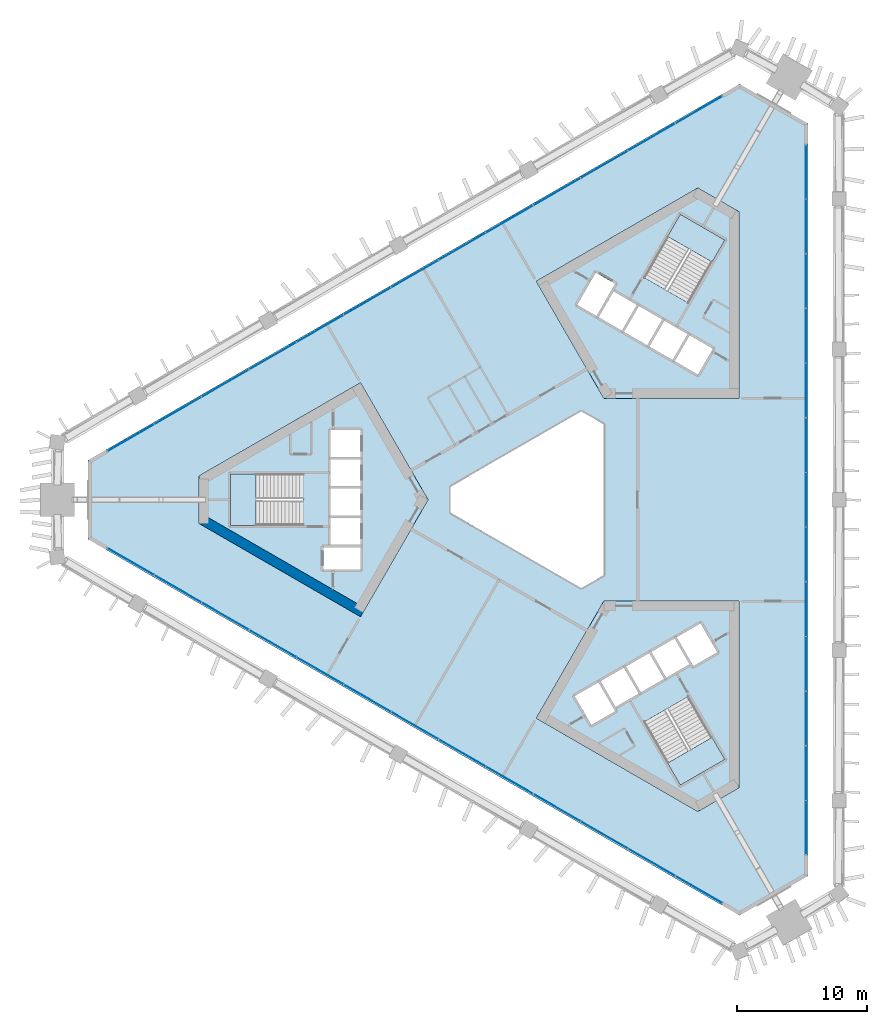
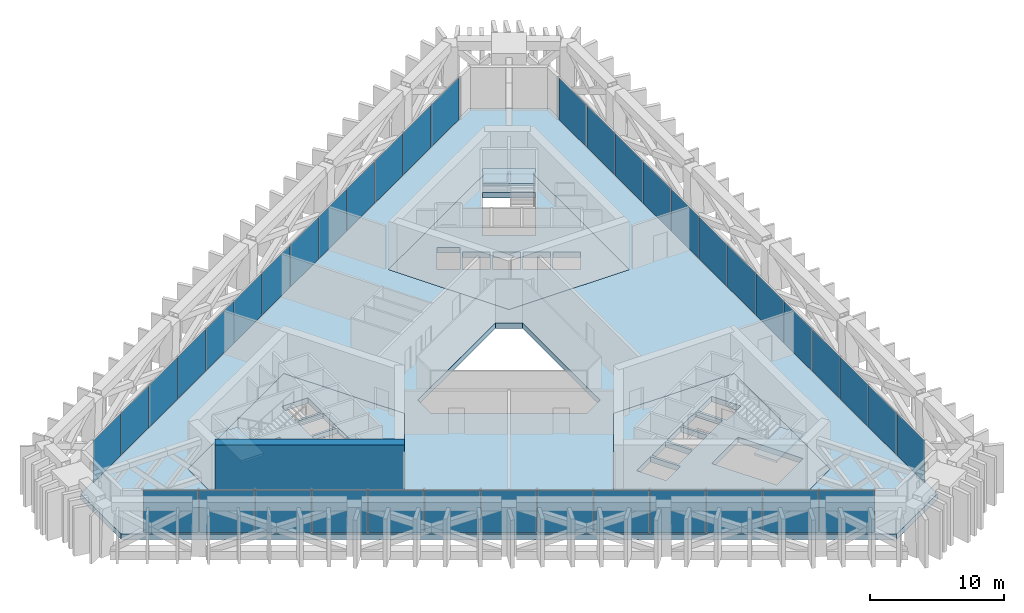
# One storey, part 11 of 17: 39 plates, 7 slabs, 1 wall, 6 elements without a shape of their own.
"""IFC4 building model written with IfcOpenShell, lengths in metres."""

from ifc_helpers import new_model, si_unit, direction, frame, frame_2d, origin, origin_2d, place, context, subcontext, project, spatial, polyline, rectangle, outline, extrude, material, layer, layer_set, type_object, element, aggregate, save


model = new_model("IFC4")

# Units and contexts
model_context = context("Model", 3, precision=1e-05, world=origin(), true_north=direction((0.0, 1.0)))
body_context = subcontext(model_context, "Body", "Model", "MODEL_VIEW")
ifc_project = project(units=[si_unit("LENGTHUNIT", "METRE"), si_unit("AREAUNIT", "SQUARE_METRE"), si_unit("VOLUMEUNIT", "CUBIC_METRE"), si_unit("PLANEANGLEUNIT", "RADIAN"), si_unit("MASSUNIT", "GRAM", prefix="KILO")], contexts=[model_context])

# Site, building, storey
site_placement = place(None, origin())
site = spatial("IfcSite", under=ifc_project, at=site_placement, CompositionType="ELEMENT")
building_placement = place(site_placement, origin())
building = spatial("IfcBuilding", under=site, at=building_placement, Name="Jabali Bay Hotel Tower and Convention Centre", CompositionType="ELEMENT")
storey_placement = place(building_placement, frame((0.0, 0.0, 102.39990234375)))
storey = spatial("IfcBuildingStorey", under=building, at=storey_placement, Name="L24", CompositionType="ELEMENT", Elevation=102.39990234375)

# Curtain wall, plates
ifc_material_1 = material(Name="Aluminium and glass", Category="aluminium")
ifc_layer_1 = layer(ifc_material_1, 0.159912109375)
ifc_layer_set_1 = layer_set([ifc_layer_1], Name="Aluminium and glass")
curtain_wall_type = type_object("IfcCurtainWallType", Name="CW3 curtain wall", PredefinedType="NOTDEFINED", material=ifc_layer_set_1)
curtain_wall_1_placement = place(storey_placement, origin())
curtain_wall_1 = element("IfcCurtainWall", 1, at=curtain_wall_1_placement, inside=storey, type_object=curtain_wall_type, Name="CW3 curtain wall east face L24", PredefinedType="NOTDEFINED")
ifc_material_2 = material(Name="Glass", Category="glass")
ifc_layer_2 = layer(ifc_material_2, 0.028076171875)
ifc_layer_set_2 = layer_set([ifc_layer_2], Name="Glass")
plate_type = type_object("IfcPlateType", Name="CW3 glass panel 28", PredefinedType="CURTAIN_PANEL", material=ifc_layer_set_2)
plate_1_placement = place(storey_placement, frame((95.038330078125, 105.1953125, 0.06005859375), z_axis=(0.0, 0.0, 1.0), x_axis=(0.0, -1.0, 0.0)))
plate_1 = element("IfcPlate", 2, at=plate_1_placement, type_object=plate_type, Name="CW3 panel 1.1", PredefinedType="CURTAIN_PANEL", context=body_context, shape_type="SweptSolid", body=[
    extrude(rectangle(XDim=4.11181640625, YDim=0.028076171875, at=origin_2d()), origin(), (0.0, 0.0, 1.0), 3.830078125),
])
plate_2_placement = place(storey_placement, frame((95.038330078125, 101.008544921875, 0.06005859375), z_axis=(0.0, 0.0, 1.0), x_axis=(0.0, -1.0, 0.0)))
plate_2 = element("IfcPlate", 3, at=plate_2_placement, type_object=plate_type, Name="CW3 panel 2.1", PredefinedType="CURTAIN_PANEL", context=body_context, shape_type="SweptSolid", body=[
    extrude(rectangle(XDim=4.141845703125, YDim=0.028076171875, at=origin_2d()), origin(), (0.0, 0.0, 1.0), 3.830078125),
])
plate_3_placement = place(storey_placement, frame((95.038330078125, 96.806884765625, 0.06005859375), z_axis=(0.0, 0.0, 1.0), x_axis=(0.0, -1.0, 0.0)))
plate_3 = element("IfcPlate", 4, at=plate_3_placement, type_object=plate_type, Name="CW3 panel 3.1", PredefinedType="CURTAIN_PANEL", context=body_context, shape_type="SweptSolid", body=[
    extrude(rectangle(XDim=4.141845703125, YDim=0.028076171875, at=origin_2d()), origin(), (0.0, 0.0, 1.0), 3.830078125),
])
plate_4_placement = place(storey_placement, frame((95.038330078125, 92.605224609375, 0.06005859375), z_axis=(0.0, 0.0, 1.0), x_axis=(0.0, -1.0, 0.0)))
plate_4 = element("IfcPlate", 5, at=plate_4_placement, type_object=plate_type, Name="CW3 panel 4.1", PredefinedType="CURTAIN_PANEL", context=body_context, shape_type="SweptSolid", body=[
    extrude(rectangle(XDim=4.141845703125, YDim=0.028076171875, at=origin_2d()), origin(), (0.0, 0.0, 1.0), 3.830078125),
])
plate_5_placement = place(storey_placement, frame((95.038330078125, 88.403564453125, 0.06005859375), z_axis=(0.0, 0.0, 1.0), x_axis=(0.0, -1.0, 0.0)))
plate_5 = element("IfcPlate", 6, at=plate_5_placement, type_object=plate_type, Name="CW3 panel 5.1", PredefinedType="CURTAIN_PANEL", context=body_context, shape_type="SweptSolid", body=[
    extrude(rectangle(XDim=4.141845703125, YDim=0.028076171875, at=origin_2d()), origin(), (0.0, 0.0, 1.0), 3.830078125),
])
plate_6_placement = place(storey_placement, frame((95.038330078125, 84.20166015625, 0.06005859375), z_axis=(0.0, 0.0, 1.0), x_axis=(0.0, -1.0, 0.0)))
plate_6 = element("IfcPlate", 7, at=plate_6_placement, type_object=plate_type, Name="CW3 panel 6.1", PredefinedType="CURTAIN_PANEL", context=body_context, shape_type="SweptSolid", body=[
    extrude(rectangle(XDim=4.141845703125, YDim=0.028076171875, at=origin_2d()), origin(), (0.0, 0.0, 1.0), 3.830078125),
])
plate_7_placement = place(storey_placement, frame((95.038330078125, 80.0, 0.06005859375), z_axis=(0.0, 0.0, 1.0), x_axis=(0.0, -1.0, 0.0)))
plate_7 = element("IfcPlate", 8, at=plate_7_placement, type_object=plate_type, Name="CW3 panel 7.1", PredefinedType="CURTAIN_PANEL", context=body_context, shape_type="SweptSolid", body=[
    extrude(rectangle(XDim=4.141845703125, YDim=0.028076171875, at=origin_2d()), origin(), (0.0, 0.0, 1.0), 3.830078125),
])
plate_8_placement = place(storey_placement, frame((95.038330078125, 75.79833984375, 0.06005859375), z_axis=(0.0, 0.0, 1.0), x_axis=(0.0, -1.0, 0.0)))
plate_8 = element("IfcPlate", 9, at=plate_8_placement, type_object=plate_type, Name="CW3 panel 8.1", PredefinedType="CURTAIN_PANEL", context=body_context, shape_type="SweptSolid", body=[
    extrude(rectangle(XDim=4.141845703125, YDim=0.028076171875, at=origin_2d()), origin(), (0.0, 0.0, 1.0), 3.830078125),
])
plate_9_placement = place(storey_placement, frame((95.038330078125, 71.596435546875, 0.06005859375), z_axis=(0.0, 0.0, 1.0), x_axis=(0.0, -1.0, 0.0)))
plate_9 = element("IfcPlate", 10, at=plate_9_placement, type_object=plate_type, Name="CW3 panel 9.1", PredefinedType="CURTAIN_PANEL", context=body_context, shape_type="SweptSolid", body=[
    extrude(rectangle(XDim=4.141845703125, YDim=0.028076171875, at=origin_2d()), origin(), (0.0, 0.0, 1.0), 3.830078125),
])
plate_10_placement = place(storey_placement, frame((95.038330078125, 67.394775390625, 0.06005859375), z_axis=(0.0, 0.0, 1.0), x_axis=(0.0, -1.0, 0.0)))
plate_10 = element("IfcPlate", 11, at=plate_10_placement, type_object=plate_type, Name="CW3 panel 10.1", PredefinedType="CURTAIN_PANEL", context=body_context, shape_type="SweptSolid", body=[
    extrude(rectangle(XDim=4.141845703125, YDim=0.028076171875, at=origin_2d()), origin(), (0.0, 0.0, 1.0), 3.830078125),
])
plate_11_placement = place(storey_placement, frame((95.038330078125, 63.193115234375, 0.06005859375), z_axis=(0.0, 0.0, 1.0), x_axis=(0.0, -1.0, 0.0)))
plate_11 = element("IfcPlate", 12, at=plate_11_placement, type_object=plate_type, Name="CW3 panel 11.1", PredefinedType="CURTAIN_PANEL", context=body_context, shape_type="SweptSolid", body=[
    extrude(rectangle(XDim=4.141845703125, YDim=0.028076171875, at=origin_2d()), origin(), (0.0, 0.0, 1.0), 3.830078125),
])
plate_12_placement = place(storey_placement, frame((95.038330078125, 58.991455078125, 0.06005859375), z_axis=(0.0, 0.0, 1.0), x_axis=(0.0, -1.0, 0.0)))
plate_12 = element("IfcPlate", 13, at=plate_12_placement, type_object=plate_type, Name="CW3 panel 12.1", PredefinedType="CURTAIN_PANEL", context=body_context, shape_type="SweptSolid", body=[
    extrude(rectangle(XDim=4.141845703125, YDim=0.028076171875, at=origin_2d()), origin(), (0.0, 0.0, 1.0), 3.830078125),
])
plate_13_placement = place(storey_placement, frame((95.038330078125, 54.8046875, 0.06005859375), z_axis=(0.0, 0.0, 1.0), x_axis=(0.0, -1.0, 0.0)))
plate_13 = element("IfcPlate", 14, at=plate_13_placement, type_object=plate_type, Name="CW3 panel 13.1", PredefinedType="CURTAIN_PANEL", context=body_context, shape_type="SweptSolid", body=[
    extrude(rectangle(XDim=4.11181640625, YDim=0.028076171875, at=origin_2d()), origin(), (0.0, 0.0, 1.0), 3.830078125),
])
aggregate(curtain_wall_1, [plate_1, plate_2, plate_3, plate_4, plate_5, plate_6, plate_7, plate_8, plate_9, plate_10, plate_11, plate_12, plate_13])

curtain_wall_2_placement = place(storey_placement, origin())
curtain_wall_2 = element("IfcCurtainWall", 15, at=curtain_wall_2_placement, inside=storey, type_object=curtain_wall_type, Name="CW3 curtain wall north-west face L24", PredefinedType="NOTDEFINED")
plate_14_placement = place(storey_placement, frame((43.160888671875, 84.756103515625, 0.06005859375), z_axis=(0.0, 0.0, 1.0), x_axis=(0.866025407101, 0.499999994256, 0.0)))
plate_14 = element("IfcPlate", 16, at=plate_14_placement, type_object=plate_type, Name="CW3 panel 1.1", PredefinedType="CURTAIN_PANEL", context=body_context, shape_type="SweptSolid", body=[
    extrude(rectangle(XDim=4.11181640625, YDim=0.028076171875, at=origin_2d()), origin(), (0.0, 0.0, 1.0), 3.830078125),
])
plate_15_placement = place(storey_placement, frame((46.786865234375, 86.849365234375, 0.06005859375), z_axis=(0.0, 0.0, 1.0), x_axis=(0.866025407101, 0.499999994256, 0.0)))
plate_15 = element("IfcPlate", 17, at=plate_15_placement, type_object=plate_type, Name="CW3 panel 2.1", PredefinedType="CURTAIN_PANEL", context=body_context, shape_type="SweptSolid", body=[
    extrude(rectangle(XDim=4.141845703125, YDim=0.028076171875, at=origin_2d()), origin(), (0.0, 0.0, 1.0), 3.830078125),
])
plate_16_placement = place(storey_placement, frame((50.425537109375, 88.9501953125, 0.06005859375), z_axis=(0.0, 0.0, 1.0), x_axis=(0.866025407101, 0.499999994256, 0.0)))
plate_16 = element("IfcPlate", 18, at=plate_16_placement, type_object=plate_type, Name="CW3 panel 3.1", PredefinedType="CURTAIN_PANEL", context=body_context, shape_type="SweptSolid", body=[
    extrude(rectangle(XDim=4.141845703125, YDim=0.028076171875, at=origin_2d()), origin(), (0.0, 0.0, 1.0), 3.830078125),
])
plate_17_placement = place(storey_placement, frame((54.064453125, 91.051025390625, 0.06005859375), z_axis=(0.0, 0.0, 1.0), x_axis=(0.866025407101, 0.499999994256, 0.0)))
plate_17 = element("IfcPlate", 19, at=plate_17_placement, type_object=plate_type, Name="CW3 panel 4.1", PredefinedType="CURTAIN_PANEL", context=body_context, shape_type="SweptSolid", body=[
    extrude(rectangle(XDim=4.141845703125, YDim=0.028076171875, at=origin_2d()), origin(), (0.0, 0.0, 1.0), 3.830078125),
])
plate_18_placement = place(storey_placement, frame((57.703125, 93.15185546875, 0.06005859375), z_axis=(0.0, 0.0, 1.0), x_axis=(0.866025407101, 0.499999994256, 0.0)))
plate_18 = element("IfcPlate", 20, at=plate_18_placement, type_object=plate_type, Name="CW3 panel 5.1", PredefinedType="CURTAIN_PANEL", context=body_context, shape_type="SweptSolid", body=[
    extrude(rectangle(XDim=4.141845703125, YDim=0.028076171875, at=origin_2d()), origin(), (0.0, 0.0, 1.0), 3.830078125),
])
plate_19_placement = place(storey_placement, frame((61.342041015625, 95.2529296875, 0.06005859375), z_axis=(0.0, 0.0, 1.0), x_axis=(0.866025407101, 0.499999994256, 0.0)))
plate_19 = element("IfcPlate", 21, at=plate_19_placement, type_object=plate_type, Name="CW3 panel 6.1", PredefinedType="CURTAIN_PANEL", context=body_context, shape_type="SweptSolid", body=[
    extrude(rectangle(XDim=4.141845703125, YDim=0.028076171875, at=origin_2d()), origin(), (0.0, 0.0, 1.0), 3.830078125),
])
plate_20_placement = place(storey_placement, frame((64.98095703125, 97.353759765625, 0.06005859375), z_axis=(0.0, 0.0, 1.0), x_axis=(0.866025407101, 0.499999994256, 0.0)))
plate_20 = element("IfcPlate", 22, at=plate_20_placement, type_object=plate_type, Name="CW3 panel 7.1", PredefinedType="CURTAIN_PANEL", context=body_context, shape_type="SweptSolid", body=[
    extrude(rectangle(XDim=4.141845703125, YDim=0.028076171875, at=origin_2d()), origin(), (0.0, 0.0, 1.0), 3.830078125),
])
plate_21_placement = place(storey_placement, frame((68.61962890625, 99.45458984375, 0.06005859375), z_axis=(0.0, 0.0, 1.0), x_axis=(0.866025407101, 0.499999994256, 0.0)))
plate_21 = element("IfcPlate", 23, at=plate_21_placement, type_object=plate_type, Name="CW3 panel 8.1", PredefinedType="CURTAIN_PANEL", context=body_context, shape_type="SweptSolid", body=[
    extrude(rectangle(XDim=4.141845703125, YDim=0.028076171875, at=origin_2d()), origin(), (0.0, 0.0, 1.0), 3.830078125),
])
plate_22_placement = place(storey_placement, frame((72.258544921875, 101.555419921875, 0.06005859375), z_axis=(0.0, 0.0, 1.0), x_axis=(0.866025407101, 0.499999994256, 0.0)))
plate_22 = element("IfcPlate", 24, at=plate_22_placement, type_object=plate_type, Name="CW3 panel 9.1", PredefinedType="CURTAIN_PANEL", context=body_context, shape_type="SweptSolid", body=[
    extrude(rectangle(XDim=4.141845703125, YDim=0.028076171875, at=origin_2d()), origin(), (0.0, 0.0, 1.0), 3.830078125),
])
plate_23_placement = place(storey_placement, frame((75.897216796875, 103.65625, 0.06005859375), z_axis=(0.0, 0.0, 1.0), x_axis=(0.866025407101, 0.499999994256, 0.0)))
plate_23 = element("IfcPlate", 25, at=plate_23_placement, type_object=plate_type, Name="CW3 panel 10.1", PredefinedType="CURTAIN_PANEL", context=body_context, shape_type="SweptSolid", body=[
    extrude(rectangle(XDim=4.141845703125, YDim=0.028076171875, at=origin_2d()), origin(), (0.0, 0.0, 1.0), 3.830078125),
])
plate_24_placement = place(storey_placement, frame((79.5361328125, 105.757080078125, 0.06005859375), z_axis=(0.0, 0.0, 1.0), x_axis=(0.866025407101, 0.499999994256, 0.0)))
plate_24 = element("IfcPlate", 26, at=plate_24_placement, type_object=plate_type, Name="CW3 panel 11.1", PredefinedType="CURTAIN_PANEL", context=body_context, shape_type="SweptSolid", body=[
    extrude(rectangle(XDim=4.141845703125, YDim=0.028076171875, at=origin_2d()), origin(), (0.0, 0.0, 1.0), 3.830078125),
])
plate_25_placement = place(storey_placement, frame((83.1748046875, 107.85791015625, 0.06005859375), z_axis=(0.0, 0.0, 1.0), x_axis=(0.866025407101, 0.499999994256, 0.0)))
plate_25 = element("IfcPlate", 27, at=plate_25_placement, type_object=plate_type, Name="CW3 panel 12.1", PredefinedType="CURTAIN_PANEL", context=body_context, shape_type="SweptSolid", body=[
    extrude(rectangle(XDim=4.141845703125, YDim=0.028076171875, at=origin_2d()), origin(), (0.0, 0.0, 1.0), 3.830078125),
])
plate_26_placement = place(storey_placement, frame((86.80078125, 109.951416015625, 0.06005859375), z_axis=(0.0, 0.0, 1.0), x_axis=(0.866025407101, 0.499999994256, 0.0)))
plate_26 = element("IfcPlate", 28, at=plate_26_placement, type_object=plate_type, Name="CW3 panel 13.1", PredefinedType="CURTAIN_PANEL", context=body_context, shape_type="SweptSolid", body=[
    extrude(rectangle(XDim=4.11181640625, YDim=0.028076171875, at=origin_2d()), origin(), (0.0, 0.0, 1.0), 3.830078125),
])
aggregate(curtain_wall_2, [plate_14, plate_15, plate_16, plate_17, plate_18, plate_19, plate_20, plate_21, plate_22, plate_23, plate_24, plate_25, plate_26])

curtain_wall_3_placement = place(storey_placement, origin())
curtain_wall_3 = element("IfcCurtainWall", 29, at=curtain_wall_3_placement, inside=storey, type_object=curtain_wall_type, Name="CW3 curtain wall south-west face L24", PredefinedType="NOTDEFINED")
plate_27_placement = place(storey_placement, frame((86.80078125, 50.048583984375, 0.06005859375), z_axis=(0.0, 0.0, 1.0), x_axis=(-0.866025407101, 0.499999994256, 0.0)))
plate_27 = element("IfcPlate", 30, at=plate_27_placement, type_object=plate_type, Name="CW3 panel 1.1", PredefinedType="CURTAIN_PANEL", context=body_context, shape_type="SweptSolid", body=[
    extrude(rectangle(XDim=4.11181640625, YDim=0.028076171875, at=origin_2d()), origin(), (0.0, 0.0, 1.0), 3.830078125),
])
plate_28_placement = place(storey_placement, frame((83.1748046875, 52.14208984375, 0.06005859375), z_axis=(0.0, 0.0, 1.0), x_axis=(-0.866025407101, 0.499999994256, 0.0)))
plate_28 = element("IfcPlate", 31, at=plate_28_placement, type_object=plate_type, Name="CW3 panel 2.1", PredefinedType="CURTAIN_PANEL", context=body_context, shape_type="SweptSolid", body=[
    extrude(rectangle(XDim=4.141845703125, YDim=0.028076171875, at=origin_2d()), origin(), (0.0, 0.0, 1.0), 3.830078125),
])
plate_29_placement = place(storey_placement, frame((79.5361328125, 54.242919921875, 0.06005859375), z_axis=(0.0, 0.0, 1.0), x_axis=(-0.866025407101, 0.499999994256, 0.0)))
plate_29 = element("IfcPlate", 32, at=plate_29_placement, type_object=plate_type, Name="CW3 panel 3.1", PredefinedType="CURTAIN_PANEL", context=body_context, shape_type="SweptSolid", body=[
    extrude(rectangle(XDim=4.141845703125, YDim=0.028076171875, at=origin_2d()), origin(), (0.0, 0.0, 1.0), 3.830078125),
])
plate_30_placement = place(storey_placement, frame((75.897216796875, 56.34375, 0.06005859375), z_axis=(0.0, 0.0, 1.0), x_axis=(-0.866025407101, 0.499999994256, 0.0)))
plate_30 = element("IfcPlate", 33, at=plate_30_placement, type_object=plate_type, Name="CW3 panel 4.1", PredefinedType="CURTAIN_PANEL", context=body_context, shape_type="SweptSolid", body=[
    extrude(rectangle(XDim=4.141845703125, YDim=0.028076171875, at=origin_2d()), origin(), (0.0, 0.0, 1.0), 3.830078125),
])
plate_31_placement = place(storey_placement, frame((72.258544921875, 58.444580078125, 0.06005859375), z_axis=(0.0, 0.0, 1.0), x_axis=(-0.866025407101, 0.499999994256, 0.0)))
plate_31 = element("IfcPlate", 34, at=plate_31_placement, type_object=plate_type, Name="CW3 panel 5.1", PredefinedType="CURTAIN_PANEL", context=body_context, shape_type="SweptSolid", body=[
    extrude(rectangle(XDim=4.141845703125, YDim=0.028076171875, at=origin_2d()), origin(), (0.0, 0.0, 1.0), 3.830078125),
])
plate_32_placement = place(storey_placement, frame((68.61962890625, 60.54541015625, 0.06005859375), z_axis=(0.0, 0.0, 1.0), x_axis=(-0.866025407101, 0.499999994256, 0.0)))
plate_32 = element("IfcPlate", 35, at=plate_32_placement, type_object=plate_type, Name="CW3 panel 6.1", PredefinedType="CURTAIN_PANEL", context=body_context, shape_type="SweptSolid", body=[
    extrude(rectangle(XDim=4.141845703125, YDim=0.028076171875, at=origin_2d()), origin(), (0.0, 0.0, 1.0), 3.830078125),
])
plate_33_placement = place(storey_placement, frame((64.98095703125, 62.646240234375, 0.06005859375), z_axis=(0.0, 0.0, 1.0), x_axis=(-0.866025407101, 0.499999994256, 0.0)))
plate_33 = element("IfcPlate", 36, at=plate_33_placement, type_object=plate_type, Name="CW3 panel 7.1", PredefinedType="CURTAIN_PANEL", context=body_context, shape_type="SweptSolid", body=[
    extrude(rectangle(XDim=4.141845703125, YDim=0.028076171875, at=origin_2d()), origin(), (0.0, 0.0, 1.0), 3.830078125),
])
plate_34_placement = place(storey_placement, frame((61.342041015625, 64.7470703125, 0.06005859375), z_axis=(0.0, 0.0, 1.0), x_axis=(-0.866025407101, 0.499999994256, 0.0)))
plate_34 = element("IfcPlate", 37, at=plate_34_placement, type_object=plate_type, Name="CW3 panel 8.1", PredefinedType="CURTAIN_PANEL", context=body_context, shape_type="SweptSolid", body=[
    extrude(rectangle(XDim=4.141845703125, YDim=0.028076171875, at=origin_2d()), origin(), (0.0, 0.0, 1.0), 3.830078125),
])
plate_35_placement = place(storey_placement, frame((57.703125, 66.84814453125, 0.06005859375), z_axis=(0.0, 0.0, 1.0), x_axis=(-0.866025407101, 0.499999994256, 0.0)))
plate_35 = element("IfcPlate", 38, at=plate_35_placement, type_object=plate_type, Name="CW3 panel 9.1", PredefinedType="CURTAIN_PANEL", context=body_context, shape_type="SweptSolid", body=[
    extrude(rectangle(XDim=4.141845703125, YDim=0.028076171875, at=origin_2d()), origin(), (0.0, 0.0, 1.0), 3.830078125),
])
plate_36_placement = place(storey_placement, frame((54.064453125, 68.948974609375, 0.06005859375), z_axis=(0.0, 0.0, 1.0), x_axis=(-0.866025407101, 0.499999994256, 0.0)))
plate_36 = element("IfcPlate", 39, at=plate_36_placement, type_object=plate_type, Name="CW3 panel 10.1", PredefinedType="CURTAIN_PANEL", context=body_context, shape_type="SweptSolid", body=[
    extrude(rectangle(XDim=4.141845703125, YDim=0.028076171875, at=origin_2d()), origin(), (0.0, 0.0, 1.0), 3.830078125),
])
plate_37_placement = place(storey_placement, frame((50.425537109375, 71.0498046875, 0.06005859375), z_axis=(0.0, 0.0, 1.0), x_axis=(-0.866025407101, 0.499999994256, 0.0)))
plate_37 = element("IfcPlate", 40, at=plate_37_placement, type_object=plate_type, Name="CW3 panel 11.1", PredefinedType="CURTAIN_PANEL", context=body_context, shape_type="SweptSolid", body=[
    extrude(rectangle(XDim=4.141845703125, YDim=0.028076171875, at=origin_2d()), origin(), (0.0, 0.0, 1.0), 3.830078125),
])
plate_38_placement = place(storey_placement, frame((46.786865234375, 73.150634765625, 0.06005859375), z_axis=(0.0, 0.0, 1.0), x_axis=(-0.866025407101, 0.499999994256, 0.0)))
plate_38 = element("IfcPlate", 41, at=plate_38_placement, type_object=plate_type, Name="CW3 panel 12.1", PredefinedType="CURTAIN_PANEL", context=body_context, shape_type="SweptSolid", body=[
    extrude(rectangle(XDim=4.141845703125, YDim=0.028076171875, at=origin_2d()), origin(), (0.0, 0.0, 1.0), 3.830078125),
])
plate_39_placement = place(storey_placement, frame((43.160888671875, 75.243896484375, 0.06005859375), z_axis=(0.0, 0.0, 1.0), x_axis=(-0.866025407101, 0.499999994256, 0.0)))
plate_39 = element("IfcPlate", 42, at=plate_39_placement, type_object=plate_type, Name="CW3 panel 13.1", PredefinedType="CURTAIN_PANEL", context=body_context, shape_type="SweptSolid", body=[
    extrude(rectangle(XDim=4.11181640625, YDim=0.028076171875, at=origin_2d()), origin(), (0.0, 0.0, 1.0), 3.830078125),
])
aggregate(curtain_wall_3, [plate_27, plate_28, plate_29, plate_30, plate_31, plate_32, plate_33, plate_34, plate_35, plate_36, plate_37, plate_38, plate_39])

# Slabs
ifc_material_3 = material(Name="Concrete C40", Category="concrete")
ifc_layer_3 = layer(ifc_material_3, 0.5)
ifc_layer_set_3 = layer_set([ifc_layer_3], Name="Concrete C40")
slab_type_1 = type_object("IfcSlabType", Name="Core floor slab 500", PredefinedType="FLOOR", material=ifc_layer_set_3)
slab_1_placement = place(storey_placement, frame((0.0, 0.0, -0.5)))
element("IfcSlab", 43, at=slab_1_placement, inside=storey, type_object=slab_type_1, Name="Core floor slab 1 L24", PredefinedType="FLOOR", context=body_context, shape_type="SweptSolid", body=[
    extrude(outline(polyline([(66.0, 80.0), (60.81005859375, 88.9892578125), (48.39697265625, 81.82275390625), (48.39697265625, 78.17724609375), (60.81005859375, 71.0107421875), (66.0, 80.0)]), holes=[polyline([(60.800048828125, 74.64990234375), (60.800048828125, 76.35009765625), (57.949951171875, 76.35009765625), (57.949951171875, 74.64990234375), (60.800048828125, 74.64990234375)]), polyline([(58.52001953125, 76.550048828125), (60.800048828125, 76.550048828125), (60.800048828125, 78.60009765625), (58.52001953125, 78.60009765625), (58.52001953125, 76.550048828125)]), polyline([(58.52001953125, 78.800048828125), (60.800048828125, 78.800048828125), (60.800048828125, 80.85009765625), (58.52001953125, 80.85009765625), (58.52001953125, 78.800048828125)]), polyline([(56.409912109375, 81.97509765625), (50.820068359375, 81.97509765625), (50.820068359375, 78.02490234375), (56.409912109375, 78.02490234375), (56.409912109375, 81.97509765625)]), polyline([(58.52001953125, 81.050048828125), (60.800048828125, 81.050048828125), (60.800048828125, 83.10009765625), (58.52001953125, 83.10009765625), (58.52001953125, 81.050048828125)]), polyline([(58.52001953125, 83.300048828125), (60.800048828125, 83.300048828125), (60.800048828125, 85.35009765625), (58.52001953125, 85.35009765625), (58.52001953125, 83.300048828125)])]), origin(), (0.0, 0.0, 1.0), 0.5),
])
slab_2_placement = place(storey_placement, frame((0.0, 0.0, -0.5)))
element("IfcSlab", 44, at=slab_2_placement, inside=storey, type_object=slab_type_1, Name="Core floor slab 2 L24", PredefinedType="FLOOR", context=body_context, shape_type="SweptSolid", body=[
    extrude(outline(polyline([(79.5, 87.794189453125), (89.8798828125, 87.794189453125), (89.8798828125, 102.127685546875), (86.72314453125, 103.9501953125), (74.31005859375, 96.78369140625), (79.5, 87.794189453125)]), holes=[polyline([(84.957763671875, 90.6474609375), (86.733154296875, 89.62255859375), (87.873291015625, 91.59716796875), (86.097900390625, 92.6220703125), (84.957763671875, 90.6474609375)]), polyline([(84.1494140625, 93.7470703125), (83.00927734375, 91.7724609375), (84.78466796875, 90.74755859375), (85.924560546875, 92.72216796875), (84.1494140625, 93.7470703125)]), polyline([(82.20068359375, 94.8720703125), (81.060791015625, 92.8974609375), (82.836181640625, 91.87255859375), (83.97607421875, 93.84716796875), (82.20068359375, 94.8720703125)]), polyline([(79.1123046875, 94.0224609375), (80.887451171875, 92.99755859375), (82.027587890625, 94.97216796875), (80.252197265625, 95.9970703125), (79.1123046875, 94.0224609375)]), polyline([(78.891845703125, 97.440673828125), (77.466796875, 94.97265625), (78.93896484375, 94.12255859375), (80.364013671875, 96.5908203125), (78.891845703125, 97.440673828125)]), polyline([(82.584716796875, 97.0869140625), (86.00537109375, 95.11181640625), (88.80029296875, 99.952880859375), (85.379638671875, 101.927978515625), (82.584716796875, 97.0869140625)])]), origin(), (0.0, 0.0, 1.0), 0.5),
])
slab_3_placement = place(storey_placement, frame((0.0, 0.0, -0.5)))
element("IfcSlab", 45, at=slab_3_placement, inside=storey, type_object=slab_type_1, Name="Core floor slab 3 L24", PredefinedType="FLOOR", context=body_context, shape_type="SweptSolid", body=[
    extrude(outline(polyline([(79.5, 72.205810546875), (74.31005859375, 63.21630859375), (86.72314453125, 56.0498046875), (89.8798828125, 57.872314453125), (89.8798828125, 72.205810546875), (79.5, 72.205810546875)]), holes=[polyline([(82.584716796875, 62.9130859375), (85.379638671875, 58.072021484375), (88.80029296875, 60.047119140625), (86.00537109375, 64.88818359375), (82.584716796875, 62.9130859375)]), polyline([(80.365478515625, 63.756591796875), (79.090576171875, 65.96484375), (77.27197265625, 64.9150390625), (78.546875, 62.70654296875), (80.365478515625, 63.756591796875)]), polyline([(82.17919921875, 65.115478515625), (81.0390625, 67.08984375), (79.263671875, 66.06494140625), (80.40380859375, 64.09033203125), (82.17919921875, 65.115478515625)]), polyline([(82.98779296875, 68.21484375), (81.21240234375, 67.18994140625), (82.352294921875, 65.21533203125), (84.127685546875, 66.240478515625), (82.98779296875, 68.21484375)]), polyline([(86.076171875, 67.365478515625), (84.936279296875, 69.33984375), (83.160888671875, 68.31494140625), (84.30078125, 66.34033203125), (86.076171875, 67.365478515625)]), polyline([(88.203125, 68.281494140625), (86.927978515625, 70.489990234375), (85.109375, 69.43994140625), (86.384521484375, 67.231689453125), (88.203125, 68.281494140625)])]), origin(), (0.0, 0.0, 1.0), 0.5),
])
ifc_layer_4 = layer(ifc_material_3, 0.5)
ifc_layer_set_4 = layer_set([ifc_layer_4], Name="Concrete C40")
slab_type_2 = type_object("IfcSlabType", Name="Post-tensioned flat slab 500", PredefinedType="FLOOR", material=ifc_layer_set_4)
slab_4_placement = place(storey_placement, frame((0.0, 0.0, -0.5)))
element("IfcSlab", 46, at=slab_4_placement, inside=storey, type_object=slab_type_2, Name="Floor slab L24", PredefinedType="FLOOR", context=body_context, shape_type="SweptSolid", body=[
    extrude(outline(polyline([(89.93212890625, 111.9326171875), (95.188232421875, 108.89794921875), (95.188232421875, 51.10205078125), (89.93212890625, 48.0673828125), (39.879638671875, 76.96533203125), (39.879638671875, 83.03466796875), (89.93212890625, 111.9326171875)]), holes=[polyline([(67.73193359375, 79.0), (77.76806640625, 73.205810546875), (79.5, 74.205810546875), (79.5, 85.794189453125), (77.76806640625, 86.794189453125), (67.73193359375, 81.0), (67.73193359375, 79.0)]), polyline([(48.39697265625, 78.17724609375), (60.81005859375, 71.0107421875), (66.0, 80.0), (60.81005859375, 88.9892578125), (48.39697265625, 81.82275390625), (48.39697265625, 78.17724609375)]), polyline([(89.8798828125, 102.127685546875), (86.72314453125, 103.9501953125), (74.31005859375, 96.78369140625), (79.5, 87.794189453125), (89.8798828125, 87.794189453125), (89.8798828125, 102.127685546875)]), polyline([(74.31005859375, 63.21630859375), (86.72314453125, 56.0498046875), (89.8798828125, 57.872314453125), (89.8798828125, 72.205810546875), (79.5, 72.205810546875), (74.31005859375, 63.21630859375)])]), origin(), (0.0, 0.0, 1.0), 0.5),
])

# Stair, slab
stair_type = type_object("IfcStairType", Name="Exit stair 1900", PredefinedType="HALF_TURN_STAIR", material=ifc_material_3)
stair_1_placement = place(storey_placement, origin())
stair_1 = element("IfcStair", 47, at=stair_1_placement, inside=storey, type_object=stair_type, Name="L24 Exit Stair 1", PredefinedType="HALF_TURN_STAIR")
ifc_layer_5 = layer(ifc_material_3, 0.199951171875)
ifc_layer_set_5 = layer_set([ifc_layer_5], Name="Concrete C40")
slab_type_3 = type_object("IfcSlabType", Name="Stair landing 200", PredefinedType="LANDING", material=ifc_layer_set_5)
slab_5_placement = place(storey_placement, frame((0.0, 0.0, 2.0)))
slab_5 = element("IfcSlab", 48, at=slab_5_placement, type_object=slab_type_3, Name="ST1 landing 1", PredefinedType="LANDING", context=body_context, shape_type="SweptSolid", body=[
    extrude(outline(polyline([(52.782958984375, 81.97509765625), (50.820068359375, 81.97509765625), (50.820068359375, 78.02490234375), (52.782958984375, 78.02490234375), (52.782958984375, 81.97509765625)])), origin(), (0.0, 0.0, 1.0), 0.2001953125),
])
aggregate(stair_1, [slab_5])

stair_2_placement = place(storey_placement, origin())
stair_2 = element("IfcStair", 49, at=stair_2_placement, inside=storey, type_object=stair_type, Name="L24 Exit Stair 2", PredefinedType="HALF_TURN_STAIR")
slab_6_placement = place(storey_placement, frame((0.0, 0.0, 2.0)))
slab_6 = element("IfcSlab", 50, at=slab_6_placement, type_object=slab_type_3, Name="ST2 landing 1", PredefinedType="LANDING", context=body_context, shape_type="SweptSolid", body=[
    extrude(outline(polyline([(87.81884765625, 98.2529296875), (88.80029296875, 99.952880859375), (85.379638671875, 101.927978515625), (84.398193359375, 100.22802734375), (87.81884765625, 98.2529296875)])), origin(), (0.0, 0.0, 1.0), 0.2001953125),
])
aggregate(stair_2, [slab_6])

stair_3_placement = place(storey_placement, origin())
stair_3 = element("IfcStair", 51, at=stair_3_placement, inside=storey, type_object=stair_type, Name="L24 Exit Stair 3", PredefinedType="HALF_TURN_STAIR")
slab_7_placement = place(storey_placement, frame((0.0, 0.0, 2.0)))
slab_7 = element("IfcSlab", 52, at=slab_7_placement, type_object=slab_type_3, Name="ST3 landing 1", PredefinedType="LANDING", context=body_context, shape_type="SweptSolid", body=[
    extrude(outline(polyline([(84.398193359375, 59.77197265625), (85.379638671875, 58.072021484375), (88.80029296875, 60.047119140625), (87.81884765625, 61.7470703125), (84.398193359375, 59.77197265625)])), origin(), (0.0, 0.0, 1.0), 0.2001953125),
])
aggregate(stair_3, [slab_7])

# Wall
ifc_material_4 = material(Name="Concrete C60", Category="concrete")
ifc_layer_6 = layer(ifc_material_4, 0.75)
ifc_layer_set_6 = layer_set([ifc_layer_6], Name="Concrete C60")
wall_type = type_object("IfcWallType", Name="Core wall 750", PredefinedType="SHEAR", material=ifc_layer_set_6)
wall_placement = place(storey_placement, frame((48.77197265625, 78.393798828125, 0.0), z_axis=(0.0, 0.0, 1.0), x_axis=(0.866028339916, -0.499994914436, 0.0)))
element("IfcWall", 53, at=wall_placement, inside=storey, type_object=wall_type, Name="Core wall 1.4 L24", PredefinedType="SHEAR", context=body_context, shape_type="SweptSolid", body=[
    extrude(rectangle(XDim=14.116943359375, YDim=0.75, at=frame_2d((7.05859375, 0.0))), origin(), (0.0, 0.0, 1.0), 4.400146484375),
])

save(model, "model.ifc")
